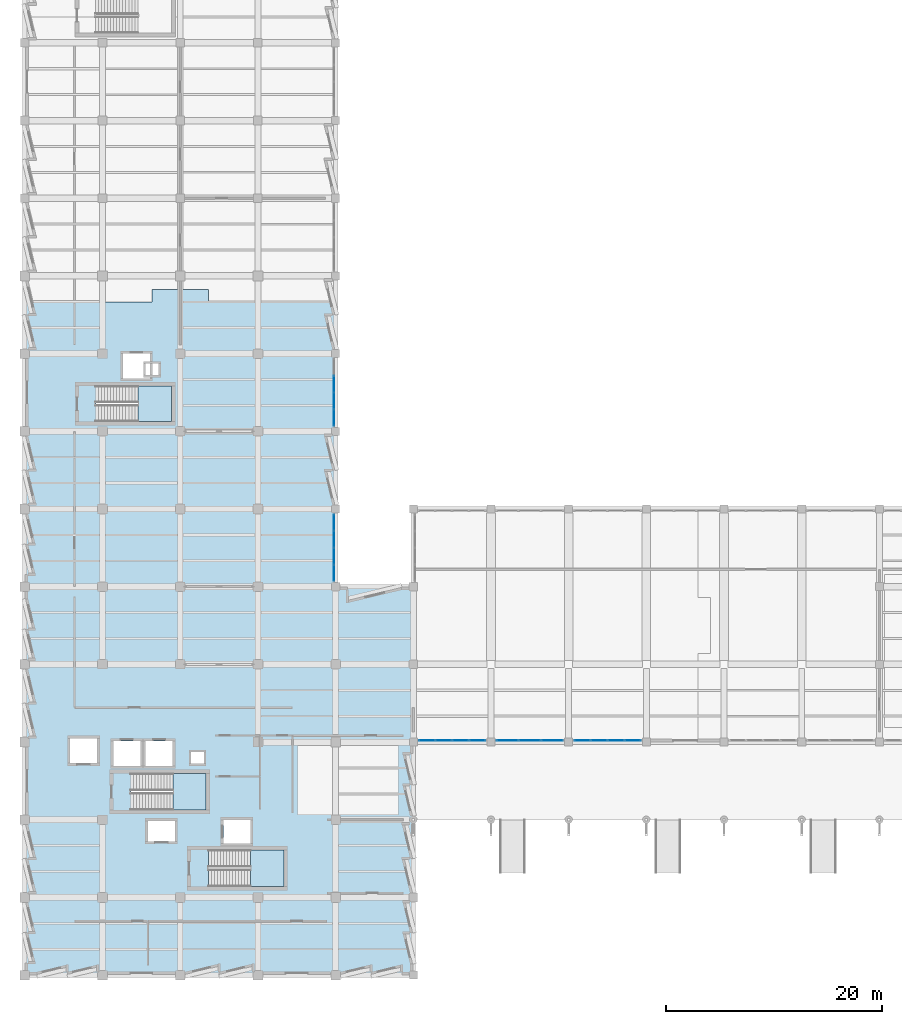
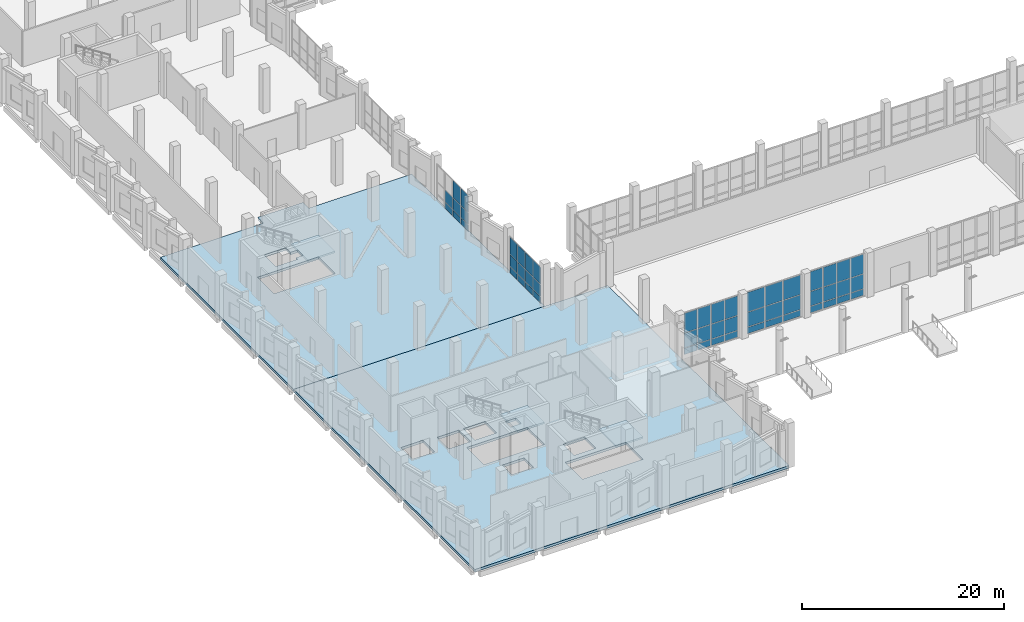
# One storey, part 85 of 137: 53 plates, 5 slabs, 8 elements without a shape of their own.
"""IFC4 building model written with IfcOpenShell, lengths in metres."""

from ifc_helpers import new_model, si_unit, direction, frame, origin, origin_2d, place, context, subcontext, project, spatial, polyline, rectangle, outline, extrude, material, layer, layer_set, type_object, element, aggregate, save


model = new_model("IFC4")

# Units and contexts
model_context = context("Model", 3, precision=1e-05, world=origin(), true_north=direction((0.0, 1.0)))
body_context = subcontext(model_context, "Body", "Model", "MODEL_VIEW")
ifc_project = project(units=[si_unit("LENGTHUNIT", "METRE"), si_unit("AREAUNIT", "SQUARE_METRE"), si_unit("VOLUMEUNIT", "CUBIC_METRE"), si_unit("PLANEANGLEUNIT", "RADIAN"), si_unit("MASSUNIT", "GRAM", prefix="KILO")], contexts=[model_context])

# Site, building, storey
site_placement = place(None, origin())
site = spatial("IfcSite", under=ifc_project, at=site_placement, CompositionType="ELEMENT")
building_placement = place(site_placement, origin())
building = spatial("IfcBuilding", under=site, at=building_placement, Name="Kalmorath City Hall", CompositionType="ELEMENT")
storey_placement = place(building_placement, origin())
storey = spatial("IfcBuildingStorey", under=building, at=storey_placement, Name="L00", CompositionType="ELEMENT", Elevation=0.0)

# Slabs
ifc_material_1 = material(Name="Concrete C40/50", Category="concrete")
ifc_layer_1 = layer(ifc_material_1, 0.300048828125)
ifc_layer_set_1 = layer_set([ifc_layer_1], Name="Concrete C40/50")
slab_type_1 = type_object("IfcSlabType", Name="Concrete ground floor slab 300", PredefinedType="FLOOR", material=ifc_layer_set_1)
slab_1_placement = place(storey_placement, frame((0.0, 0.0, -0.300048828125)))
element("IfcSlab", 1, at=slab_1_placement, inside=storey, type_object=slab_type_1, Name="L00 Corner Administration Block slab FS1-1", PredefinedType="FLOOR", context=body_context, shape_type="SweptSolid", body=[
    extrude(outline(polyline([(0.0, 36.0), (36.0, 36.0), (36.0, 0.0), (0.0, 0.0), (0.0, 36.0)]), holes=[polyline([(16.800048828125, 15.300048828125), (16.800048828125, 18.699951171875), (9.840087890625, 18.699951171875), (9.840087890625, 15.300048828125), (16.800048828125, 15.300048828125)]), polyline([(4.199951171875, 19.64990234375), (6.699951171875, 19.64990234375), (6.699951171875, 21.949951171875), (4.199951171875, 21.949951171875), (4.199951171875, 19.64990234375)]), polyline([(8.199951171875, 21.699951171875), (8.199951171875, 19.39990234375), (10.699951171875, 19.39990234375), (10.699951171875, 21.699951171875), (8.199951171875, 21.699951171875)]), polyline([(13.699951171875, 21.699951171875), (11.199951171875, 21.699951171875), (11.199951171875, 19.39990234375), (13.699951171875, 19.39990234375), (13.699951171875, 21.699951171875)]), polyline([(24.0, 8.199951171875), (24.0, 11.60009765625), (17.0400390625, 11.60009765625), (17.0400390625, 8.199951171875), (24.0, 8.199951171875)]), polyline([(11.39990234375, 12.39990234375), (13.89990234375, 12.39990234375), (13.89990234375, 14.300048828125), (11.39990234375, 14.300048828125), (11.39990234375, 12.39990234375)]), polyline([(18.39990234375, 14.39990234375), (18.39990234375, 12.199951171875), (20.89990234375, 12.199951171875), (20.89990234375, 14.39990234375), (18.39990234375, 14.39990234375)]), polyline([(16.60009765625, 20.679931640625), (15.39990234375, 20.679931640625), (15.39990234375, 19.60009765625), (16.60009765625, 19.60009765625), (16.60009765625, 20.679931640625)])]), origin(), (0.0, 0.0, 1.0), 0.300048828125),
])
slab_2_placement = place(storey_placement, frame((0.0, 0.0, -0.300048828125)))
element("IfcSlab", 2, at=slab_2_placement, inside=storey, type_object=slab_type_1, Name="L00 West Sawtooth Wing and Civic Storm Arcade slab FS1-1", PredefinedType="FLOOR", context=body_context, shape_type="SweptSolid", body=[
    extrude(outline(polyline([(0.0, 36.0), (0.0, 62.39990234375), (11.800048828125, 62.39990234375), (11.800048828125, 63.550048828125), (17.0, 63.550048828125), (17.0, 62.39990234375), (28.800048828125, 62.39990234375), (28.800048828125, 36.0), (0.0, 36.0)]), holes=[polyline([(6.590087890625, 54.60009765625), (6.590087890625, 51.300048828125), (13.60009765625, 51.300048828125), (13.60009765625, 54.60009765625), (6.590087890625, 54.60009765625)]), polyline([(11.60009765625, 55.60009765625), (12.39990234375, 55.60009765625), (12.39990234375, 56.679931640625), (11.60009765625, 56.679931640625), (11.60009765625, 57.60009765625), (9.10009765625, 57.60009765625), (9.10009765625, 55.300048828125), (11.60009765625, 55.300048828125), (11.60009765625, 55.60009765625)])]), origin(), (0.0, 0.0, 1.0), 0.300048828125),
])

# Stair, slab
ifc_material_2 = material(Name="Concrete C40/50", Category="concrete")
stair_type_1 = type_object("IfcStairType", Name="Dogleg concrete exit stair 30R x 180mm W1600", PredefinedType="HALF_TURN_STAIR", material=ifc_material_2)
stair_1_placement = place(storey_placement, origin())
stair_1 = element("IfcStair", 3, at=stair_1_placement, inside=storey, type_object=stair_type_1, Name="L00 Protected exit stair ST-1", PredefinedType="HALF_TURN_STAIR")
ifc_material_3 = material(Name="Concrete C40/50", Category="concrete")
ifc_layer_2 = layer(ifc_material_3, 0.199951171875)
ifc_layer_set_2 = layer_set([ifc_layer_2], Name="Concrete C40/50")
slab_type_2 = type_object("IfcSlabType", Name="Concrete stair half-landing slab 200", PredefinedType="LANDING", material=ifc_layer_set_2)
slab_3_placement = place(storey_placement, frame((0.0, 0.0, 2.5)))
slab_3 = element("IfcSlab", 4, at=slab_3_placement, type_object=slab_type_2, Name="ST-1 landing 1", PredefinedType="LANDING", context=body_context, shape_type="SweptSolid", body=[
    extrude(outline(polyline([(13.719970703125, 15.300048828125), (16.800048828125, 15.300048828125), (16.800048828125, 18.699951171875), (13.719970703125, 18.699951171875), (13.719970703125, 15.300048828125)])), origin(), (0.0, 0.0, 1.0), 0.199951171875),
])
aggregate(stair_1, [slab_3])

stair_2_placement = place(storey_placement, origin())
stair_2 = element("IfcStair", 5, at=stair_2_placement, inside=storey, type_object=stair_type_1, Name="L00 Protected exit stair ST-2", PredefinedType="HALF_TURN_STAIR")
slab_4_placement = place(storey_placement, frame((0.0, 0.0, 2.5)))
slab_4 = element("IfcSlab", 6, at=slab_4_placement, type_object=slab_type_2, Name="ST-2 landing 1", PredefinedType="LANDING", context=body_context, shape_type="SweptSolid", body=[
    extrude(outline(polyline([(20.919921875, 8.199951171875), (24.0, 8.199951171875), (24.0, 11.60009765625), (20.919921875, 11.60009765625), (20.919921875, 8.199951171875)])), origin(), (0.0, 0.0, 1.0), 0.199951171875),
])
aggregate(stair_2, [slab_4])

ifc_material_4 = material(Name="Concrete C40/50", Category="concrete")
stair_type_2 = type_object("IfcStairType", Name="Dogleg concrete exit stair 30R x 180mm W1550", PredefinedType="HALF_TURN_STAIR", material=ifc_material_4)
stair_3_placement = place(storey_placement, origin())
stair_3 = element("IfcStair", 7, at=stair_3_placement, inside=storey, type_object=stair_type_2, Name="L00 Protected exit stair ST-3", PredefinedType="HALF_TURN_STAIR")
slab_5_placement = place(storey_placement, frame((0.0, 0.0, 2.5)))
slab_5 = element("IfcSlab", 8, at=slab_5_placement, type_object=slab_type_2, Name="ST-3 landing 1", PredefinedType="LANDING", context=body_context, shape_type="SweptSolid", body=[
    extrude(outline(polyline([(10.469970703125, 51.300048828125), (13.60009765625, 51.300048828125), (13.60009765625, 54.60009765625), (10.469970703125, 54.60009765625), (10.469970703125, 51.300048828125)])), origin(), (0.0, 0.0, 1.0), 0.199951171875),
])
aggregate(stair_3, [slab_5])

# Curtain wall, plates
ifc_material_5 = material(Name="Anodised aluminium and laminated glass", Category="aluminium")
curtain_wall_type_1 = type_object("IfcCurtainWallType", Name="Unitised hurricane curtain wall 6270x4461 M1600", PredefinedType="NOTDEFINED", material=ifc_material_5)
curtain_wall_1_placement = place(storey_placement, origin())
curtain_wall_1 = element("IfcCurtainWall", 9, at=curtain_wall_1_placement, inside=storey, type_object=curtain_wall_type_1, Name="L00 curtain wall CW-63X45M16 #57", PredefinedType="NOTDEFINED")
ifc_material_6 = material(Name="Hurricane laminated low-E glass", Category="glass")
ifc_layer_3 = layer(ifc_material_6, 0.028076171875)
ifc_layer_set_3 = layer_set([ifc_layer_3], Name="Hurricane laminated low-E glass")
plate_type_1 = type_object("IfcPlateType", Name="Courtyard solar-control glazed panel 28", PredefinedType="CURTAIN_PANEL", material=ifc_layer_set_3)
plate_1_placement = place(storey_placement, frame((28.639892578125, 54.78369140625, 0.06005859375), z_axis=(0.0, 0.0, 1.0), x_axis=(0.0, -1.0, 0.0)))
plate_1 = element("IfcPlate", 10, at=plate_1_placement, type_object=plate_type_1, Name="CW-63X45M16 panel 2.1", PredefinedType="CURTAIN_PANEL", context=body_context, shape_type="SweptSolid", body=[
    extrude(rectangle(XDim=1.50244140625, YDim=0.028076171875, at=origin_2d()), origin(), (0.0, 0.0, 1.0), 0.760009765625),
])
plate_2_placement = place(storey_placement, frame((28.639892578125, 54.78369140625, 0.8798828125), z_axis=(0.0, 0.0, 1.0), x_axis=(0.0, -1.0, 0.0)))
plate_2 = element("IfcPlate", 11, at=plate_2_placement, type_object=plate_type_1, Name="CW-63X45M16 panel 2.2", PredefinedType="CURTAIN_PANEL", context=body_context, shape_type="SweptSolid", body=[
    extrude(rectangle(XDim=1.50244140625, YDim=0.028076171875, at=origin_2d()), origin(), (0.0, 0.0, 1.0), 1.409912109375),
])
plate_3_placement = place(storey_placement, frame((28.639892578125, 53.21630859375, 0.06005859375), z_axis=(0.0, 0.0, 1.0), x_axis=(0.0, -1.0, 0.0)))
plate_3 = element("IfcPlate", 12, at=plate_3_placement, type_object=plate_type_1, Name="CW-63X45M16 panel 3.1", PredefinedType="CURTAIN_PANEL", context=body_context, shape_type="SweptSolid", body=[
    extrude(rectangle(XDim=1.50244140625, YDim=0.028076171875, at=origin_2d()), origin(), (0.0, 0.0, 1.0), 0.760009765625),
])
plate_4_placement = place(storey_placement, frame((28.639892578125, 53.21630859375, 0.8798828125), z_axis=(0.0, 0.0, 1.0), x_axis=(0.0, -1.0, 0.0)))
plate_4 = element("IfcPlate", 13, at=plate_4_placement, type_object=plate_type_1, Name="CW-63X45M16 panel 3.2", PredefinedType="CURTAIN_PANEL", context=body_context, shape_type="SweptSolid", body=[
    extrude(rectangle(XDim=1.50244140625, YDim=0.028076171875, at=origin_2d()), origin(), (0.0, 0.0, 1.0), 1.409912109375),
])
plate_5_placement = place(storey_placement, frame((28.639892578125, 53.21630859375, 2.35009765625), z_axis=(0.0, 0.0, 1.0), x_axis=(0.0, -1.0, 0.0)))
plate_5 = element("IfcPlate", 14, at=plate_5_placement, type_object=plate_type_1, Name="CW-63X45M16 panel 3.3", PredefinedType="CURTAIN_PANEL", context=body_context, shape_type="SweptSolid", body=[
    extrude(rectangle(XDim=1.50244140625, YDim=0.028076171875, at=origin_2d()), origin(), (0.0, 0.0, 1.0), 2.051025390625),
])
plate_6_placement = place(storey_placement, frame((28.639892578125, 51.6650390625, 0.06005859375), z_axis=(0.0, 0.0, 1.0), x_axis=(0.0, -1.0, 0.0)))
plate_6 = element("IfcPlate", 15, at=plate_6_placement, type_object=plate_type_1, Name="CW-63X45M16 panel 4.1", PredefinedType="CURTAIN_PANEL", context=body_context, shape_type="SweptSolid", body=[
    extrude(rectangle(XDim=1.469970703125, YDim=0.028076171875, at=origin_2d()), origin(), (0.0, 0.0, 1.0), 0.760009765625),
])
plate_7_placement = place(storey_placement, frame((28.639892578125, 51.6650390625, 0.8798828125), z_axis=(0.0, 0.0, 1.0), x_axis=(0.0, -1.0, 0.0)))
plate_7 = element("IfcPlate", 16, at=plate_7_placement, type_object=plate_type_1, Name="CW-63X45M16 panel 4.2", PredefinedType="CURTAIN_PANEL", context=body_context, shape_type="SweptSolid", body=[
    extrude(rectangle(XDim=1.469970703125, YDim=0.028076171875, at=origin_2d()), origin(), (0.0, 0.0, 1.0), 1.409912109375),
])
plate_8_placement = place(storey_placement, frame((28.639892578125, 51.6650390625, 2.35009765625), z_axis=(0.0, 0.0, 1.0), x_axis=(0.0, -1.0, 0.0)))
plate_8 = element("IfcPlate", 17, at=plate_8_placement, type_object=plate_type_1, Name="CW-63X45M16 panel 4.3", PredefinedType="CURTAIN_PANEL", context=body_context, shape_type="SweptSolid", body=[
    extrude(rectangle(XDim=1.469970703125, YDim=0.028076171875, at=origin_2d()), origin(), (0.0, 0.0, 1.0), 2.051025390625),
])
aggregate(curtain_wall_1, [plate_1, plate_2, plate_3, plate_4, plate_5, plate_6, plate_7, plate_8])

ifc_material_7 = material(Name="Anodised aluminium and laminated glass", Category="aluminium")
curtain_wall_type_2 = type_object("IfcCurtainWallType", Name="Unitised hurricane curtain wall 6245x4461 M1600", PredefinedType="NOTDEFINED", material=ifc_material_7)
curtain_wall_2_placement = place(storey_placement, origin())
curtain_wall_2 = element("IfcCurtainWall", 18, at=curtain_wall_2_placement, inside=storey, type_object=curtain_wall_type_2, Name="L00 curtain wall CW-62X45M16 #58", PredefinedType="NOTDEFINED")
plate_9_placement = place(storey_placement, frame((28.639892578125, 41.938232421875, 0.06005859375), z_axis=(0.0, 0.0, 1.0), x_axis=(0.0, -1.0, 0.0)))
plate_9 = element("IfcPlate", 19, at=plate_9_placement, type_object=plate_type_1, Name="CW-62X45M16 panel 1.1", PredefinedType="CURTAIN_PANEL", context=body_context, shape_type="SweptSolid", body=[
    extrude(rectangle(XDim=1.4638671875, YDim=0.028076171875, at=origin_2d()), origin(), (0.0, 0.0, 1.0), 0.760009765625),
])
plate_10_placement = place(storey_placement, frame((28.639892578125, 41.938232421875, 0.8798828125), z_axis=(0.0, 0.0, 1.0), x_axis=(0.0, -1.0, 0.0)))
plate_10 = element("IfcPlate", 20, at=plate_10_placement, type_object=plate_type_1, Name="CW-62X45M16 panel 1.2", PredefinedType="CURTAIN_PANEL", context=body_context, shape_type="SweptSolid", body=[
    extrude(rectangle(XDim=1.4638671875, YDim=0.028076171875, at=origin_2d()), origin(), (0.0, 0.0, 1.0), 1.409912109375),
])
plate_11_placement = place(storey_placement, frame((28.639892578125, 41.938232421875, 2.35009765625), z_axis=(0.0, 0.0, 1.0), x_axis=(0.0, -1.0, 0.0)))
plate_11 = element("IfcPlate", 21, at=plate_11_placement, type_object=plate_type_1, Name="CW-62X45M16 panel 1.3", PredefinedType="CURTAIN_PANEL", context=body_context, shape_type="SweptSolid", body=[
    extrude(rectangle(XDim=1.4638671875, YDim=0.028076171875, at=origin_2d()), origin(), (0.0, 0.0, 1.0), 2.051025390625),
])
plate_12_placement = place(storey_placement, frame((28.639892578125, 40.39306640625, 0.06005859375), z_axis=(0.0, 0.0, 1.0), x_axis=(0.0, -1.0, 0.0)))
plate_12 = element("IfcPlate", 22, at=plate_12_placement, type_object=plate_type_1, Name="CW-62X45M16 panel 2.1", PredefinedType="CURTAIN_PANEL", context=body_context, shape_type="SweptSolid", body=[
    extrude(rectangle(XDim=1.496337890625, YDim=0.028076171875, at=origin_2d()), origin(), (0.0, 0.0, 1.0), 0.760009765625),
])
plate_13_placement = place(storey_placement, frame((28.639892578125, 40.39306640625, 0.8798828125), z_axis=(0.0, 0.0, 1.0), x_axis=(0.0, -1.0, 0.0)))
plate_13 = element("IfcPlate", 23, at=plate_13_placement, type_object=plate_type_1, Name="CW-62X45M16 panel 2.2", PredefinedType="CURTAIN_PANEL", context=body_context, shape_type="SweptSolid", body=[
    extrude(rectangle(XDim=1.496337890625, YDim=0.028076171875, at=origin_2d()), origin(), (0.0, 0.0, 1.0), 1.409912109375),
])
plate_14_placement = place(storey_placement, frame((28.639892578125, 40.39306640625, 2.35009765625), z_axis=(0.0, 0.0, 1.0), x_axis=(0.0, -1.0, 0.0)))
plate_14 = element("IfcPlate", 24, at=plate_14_placement, type_object=plate_type_1, Name="CW-62X45M16 panel 2.3", PredefinedType="CURTAIN_PANEL", context=body_context, shape_type="SweptSolid", body=[
    extrude(rectangle(XDim=1.496337890625, YDim=0.028076171875, at=origin_2d()), origin(), (0.0, 0.0, 1.0), 2.051025390625),
])
plate_15_placement = place(storey_placement, frame((28.639892578125, 38.831787109375, 0.06005859375), z_axis=(0.0, 0.0, 1.0), x_axis=(0.0, -1.0, 0.0)))
plate_15 = element("IfcPlate", 25, at=plate_15_placement, type_object=plate_type_1, Name="CW-62X45M16 panel 3.1", PredefinedType="CURTAIN_PANEL", context=body_context, shape_type="SweptSolid", body=[
    extrude(rectangle(XDim=1.496337890625, YDim=0.028076171875, at=origin_2d()), origin(), (0.0, 0.0, 1.0), 0.760009765625),
])
plate_16_placement = place(storey_placement, frame((28.639892578125, 38.831787109375, 0.8798828125), z_axis=(0.0, 0.0, 1.0), x_axis=(0.0, -1.0, 0.0)))
plate_16 = element("IfcPlate", 26, at=plate_16_placement, type_object=plate_type_1, Name="CW-62X45M16 panel 3.2", PredefinedType="CURTAIN_PANEL", context=body_context, shape_type="SweptSolid", body=[
    extrude(rectangle(XDim=1.496337890625, YDim=0.028076171875, at=origin_2d()), origin(), (0.0, 0.0, 1.0), 1.409912109375),
])
plate_17_placement = place(storey_placement, frame((28.639892578125, 38.831787109375, 2.35009765625), z_axis=(0.0, 0.0, 1.0), x_axis=(0.0, -1.0, 0.0)))
plate_17 = element("IfcPlate", 27, at=plate_17_placement, type_object=plate_type_1, Name="CW-62X45M16 panel 3.3", PredefinedType="CURTAIN_PANEL", context=body_context, shape_type="SweptSolid", body=[
    extrude(rectangle(XDim=1.496337890625, YDim=0.028076171875, at=origin_2d()), origin(), (0.0, 0.0, 1.0), 2.051025390625),
])
plate_18_placement = place(storey_placement, frame((28.639892578125, 37.286865234375, 0.06005859375), z_axis=(0.0, 0.0, 1.0), x_axis=(0.0, -1.0, 0.0)))
plate_18 = element("IfcPlate", 28, at=plate_18_placement, type_object=plate_type_1, Name="CW-62X45M16 panel 4.1", PredefinedType="CURTAIN_PANEL", context=body_context, shape_type="SweptSolid", body=[
    extrude(rectangle(XDim=1.4638671875, YDim=0.028076171875, at=origin_2d()), origin(), (0.0, 0.0, 1.0), 0.760009765625),
])
plate_19_placement = place(storey_placement, frame((28.639892578125, 37.286865234375, 0.8798828125), z_axis=(0.0, 0.0, 1.0), x_axis=(0.0, -1.0, 0.0)))
plate_19 = element("IfcPlate", 29, at=plate_19_placement, type_object=plate_type_1, Name="CW-62X45M16 panel 4.2", PredefinedType="CURTAIN_PANEL", context=body_context, shape_type="SweptSolid", body=[
    extrude(rectangle(XDim=1.4638671875, YDim=0.028076171875, at=origin_2d()), origin(), (0.0, 0.0, 1.0), 1.409912109375),
])
plate_20_placement = place(storey_placement, frame((28.639892578125, 37.286865234375, 2.35009765625), z_axis=(0.0, 0.0, 1.0), x_axis=(0.0, -1.0, 0.0)))
plate_20 = element("IfcPlate", 30, at=plate_20_placement, type_object=plate_type_1, Name="CW-62X45M16 panel 4.3", PredefinedType="CURTAIN_PANEL", context=body_context, shape_type="SweptSolid", body=[
    extrude(rectangle(XDim=1.4638671875, YDim=0.028076171875, at=origin_2d()), origin(), (0.0, 0.0, 1.0), 2.051025390625),
])
aggregate(curtain_wall_2, [plate_9, plate_10, plate_11, plate_12, plate_13, plate_14, plate_15, plate_16, plate_17, plate_18, plate_19, plate_20])

ifc_material_8 = material(Name="Anodised aluminium and laminated glass", Category="aluminium")
curtain_wall_type_3 = type_object("IfcCurtainWallType", Name="Unitised hurricane curtain wall 6270x5120 M1500", PredefinedType="NOTDEFINED", material=ifc_material_8)
curtain_wall_3_placement = place(storey_placement, origin())
curtain_wall_3 = element("IfcCurtainWall", 31, at=curtain_wall_3_placement, inside=storey, type_object=curtain_wall_type_3, Name="L00 curtain wall CW-63X51M15 #24", PredefinedType="NOTDEFINED")
ifc_material_9 = material(Name="Hurricane laminated low-E glass", Category="glass")
ifc_layer_4 = layer(ifc_material_9, 0.0400390625)
ifc_layer_set_4 = layer_set([ifc_layer_4], Name="Hurricane laminated low-E glass")
plate_type_2 = type_object("IfcPlateType", Name="Public hall laminated glass panel 40", PredefinedType="CURTAIN_PANEL", material=ifc_layer_set_4)
plate_21_placement = place(storey_placement, frame((56.33251953125, 21.760009765625, 0.06494140625), z_axis=(0.0, 0.0, 1.0), x_axis=(-1.0, 0.0, 0.0)))
plate_21 = element("IfcPlate", 32, at=plate_21_placement, type_object=plate_type_2, Name="CW-63X51M15 panel 1.1", PredefinedType="CURTAIN_PANEL", context=body_context, shape_type="SweptSolid", body=[
    extrude(rectangle(XDim=1.455078125, YDim=0.0400390625, at=origin_2d()), origin(), (0.0, 0.0, 1.0), 0.75244140625),
])
plate_22_placement = place(storey_placement, frame((56.33251953125, 21.760009765625, 0.882568359375), z_axis=(0.0, 0.0, 1.0), x_axis=(-1.0, 0.0, 0.0)))
plate_22 = element("IfcPlate", 33, at=plate_22_placement, type_object=plate_type_2, Name="CW-63X51M15 panel 1.2", PredefinedType="CURTAIN_PANEL", context=body_context, shape_type="SweptSolid", body=[
    extrude(rectangle(XDim=1.455078125, YDim=0.0400390625, at=origin_2d()), origin(), (0.0, 0.0, 1.0), 1.7470703125),
])
plate_23_placement = place(storey_placement, frame((56.33251953125, 21.760009765625, 2.6943359375), z_axis=(0.0, 0.0, 1.0), x_axis=(-1.0, 0.0, 0.0)))
plate_23 = element("IfcPlate", 34, at=plate_23_placement, type_object=plate_type_2, Name="CW-63X51M15 panel 1.3", PredefinedType="CURTAIN_PANEL", context=body_context, shape_type="SweptSolid", body=[
    extrude(rectangle(XDim=1.455078125, YDim=0.0400390625, at=origin_2d()), origin(), (0.0, 0.0, 1.0), 2.360595703125),
])
plate_24_placement = place(storey_placement, frame((54.78369140625, 21.760009765625, 0.06494140625), z_axis=(0.0, 0.0, 1.0), x_axis=(-1.0, 0.0, 0.0)))
plate_24 = element("IfcPlate", 35, at=plate_24_placement, type_object=plate_type_2, Name="CW-63X51M15 panel 2.1", PredefinedType="CURTAIN_PANEL", context=body_context, shape_type="SweptSolid", body=[
    extrude(rectangle(XDim=1.492431640625, YDim=0.0400390625, at=origin_2d()), origin(), (0.0, 0.0, 1.0), 0.75244140625),
])
plate_25_placement = place(storey_placement, frame((54.78369140625, 21.760009765625, 0.882568359375), z_axis=(0.0, 0.0, 1.0), x_axis=(-1.0, 0.0, 0.0)))
plate_25 = element("IfcPlate", 36, at=plate_25_placement, type_object=plate_type_2, Name="CW-63X51M15 panel 2.2", PredefinedType="CURTAIN_PANEL", context=body_context, shape_type="SweptSolid", body=[
    extrude(rectangle(XDim=1.492431640625, YDim=0.0400390625, at=origin_2d()), origin(), (0.0, 0.0, 1.0), 1.7470703125),
])
plate_26_placement = place(storey_placement, frame((54.78369140625, 21.760009765625, 2.6943359375), z_axis=(0.0, 0.0, 1.0), x_axis=(-1.0, 0.0, 0.0)))
plate_26 = element("IfcPlate", 37, at=plate_26_placement, type_object=plate_type_2, Name="CW-63X51M15 panel 2.3", PredefinedType="CURTAIN_PANEL", context=body_context, shape_type="SweptSolid", body=[
    extrude(rectangle(XDim=1.492431640625, YDim=0.0400390625, at=origin_2d()), origin(), (0.0, 0.0, 1.0), 2.360595703125),
])
plate_27_placement = place(storey_placement, frame((53.21630859375, 21.760009765625, 0.06494140625), z_axis=(0.0, 0.0, 1.0), x_axis=(-1.0, 0.0, 0.0)))
plate_27 = element("IfcPlate", 38, at=plate_27_placement, type_object=plate_type_2, Name="CW-63X51M15 panel 3.1", PredefinedType="CURTAIN_PANEL", context=body_context, shape_type="SweptSolid", body=[
    extrude(rectangle(XDim=1.492431640625, YDim=0.0400390625, at=origin_2d()), origin(), (0.0, 0.0, 1.0), 0.75244140625),
])
plate_28_placement = place(storey_placement, frame((53.21630859375, 21.760009765625, 0.882568359375), z_axis=(0.0, 0.0, 1.0), x_axis=(-1.0, 0.0, 0.0)))
plate_28 = element("IfcPlate", 39, at=plate_28_placement, type_object=plate_type_2, Name="CW-63X51M15 panel 3.2", PredefinedType="CURTAIN_PANEL", context=body_context, shape_type="SweptSolid", body=[
    extrude(rectangle(XDim=1.492431640625, YDim=0.0400390625, at=origin_2d()), origin(), (0.0, 0.0, 1.0), 1.7470703125),
])
plate_29_placement = place(storey_placement, frame((53.21630859375, 21.760009765625, 2.6943359375), z_axis=(0.0, 0.0, 1.0), x_axis=(-1.0, 0.0, 0.0)))
plate_29 = element("IfcPlate", 40, at=plate_29_placement, type_object=plate_type_2, Name="CW-63X51M15 panel 3.3", PredefinedType="CURTAIN_PANEL", context=body_context, shape_type="SweptSolid", body=[
    extrude(rectangle(XDim=1.492431640625, YDim=0.0400390625, at=origin_2d()), origin(), (0.0, 0.0, 1.0), 2.360595703125),
])
plate_30_placement = place(storey_placement, frame((51.66748046875, 21.760009765625, 0.06494140625), z_axis=(0.0, 0.0, 1.0), x_axis=(-1.0, 0.0, 0.0)))
plate_30 = element("IfcPlate", 41, at=plate_30_placement, type_object=plate_type_2, Name="CW-63X51M15 panel 4.1", PredefinedType="CURTAIN_PANEL", context=body_context, shape_type="SweptSolid", body=[
    extrude(rectangle(XDim=1.455078125, YDim=0.0400390625, at=origin_2d()), origin(), (0.0, 0.0, 1.0), 0.75244140625),
])
plate_31_placement = place(storey_placement, frame((51.66748046875, 21.760009765625, 0.882568359375), z_axis=(0.0, 0.0, 1.0), x_axis=(-1.0, 0.0, 0.0)))
plate_31 = element("IfcPlate", 42, at=plate_31_placement, type_object=plate_type_2, Name="CW-63X51M15 panel 4.2", PredefinedType="CURTAIN_PANEL", context=body_context, shape_type="SweptSolid", body=[
    extrude(rectangle(XDim=1.455078125, YDim=0.0400390625, at=origin_2d()), origin(), (0.0, 0.0, 1.0), 1.7470703125),
])
plate_32_placement = place(storey_placement, frame((51.66748046875, 21.760009765625, 2.6943359375), z_axis=(0.0, 0.0, 1.0), x_axis=(-1.0, 0.0, 0.0)))
plate_32 = element("IfcPlate", 43, at=plate_32_placement, type_object=plate_type_2, Name="CW-63X51M15 panel 4.3", PredefinedType="CURTAIN_PANEL", context=body_context, shape_type="SweptSolid", body=[
    extrude(rectangle(XDim=1.455078125, YDim=0.0400390625, at=origin_2d()), origin(), (0.0, 0.0, 1.0), 2.360595703125),
])
aggregate(curtain_wall_3, [plate_21, plate_22, plate_23, plate_24, plate_25, plate_26, plate_27, plate_28, plate_29, plate_30, plate_31, plate_32])

ifc_material_10 = material(Name="Anodised aluminium and laminated glass", Category="aluminium")
curtain_wall_type_4 = type_object("IfcCurtainWallType", Name="Unitised hurricane curtain wall 6270x5120 M1800", PredefinedType="NOTDEFINED", material=ifc_material_10)
curtain_wall_4_placement = place(storey_placement, origin())
curtain_wall_4 = element("IfcCurtainWall", 44, at=curtain_wall_4_placement, inside=storey, type_object=curtain_wall_type_4, Name="L00 curtain wall CW-63X51M18 #25", PredefinedType="NOTDEFINED")
plate_33_placement = place(storey_placement, frame((48.871337890625, 21.760009765625, 0.06494140625), z_axis=(0.0, 0.0, 1.0), x_axis=(-1.0, 0.0, 0.0)))
plate_33 = element("IfcPlate", 45, at=plate_33_placement, type_object=plate_type_2, Name="CW-63X51M18 panel 1.1", PredefinedType="CURTAIN_PANEL", context=body_context, shape_type="SweptSolid", body=[
    extrude(rectangle(XDim=1.9775390625, YDim=0.0400390625, at=origin_2d()), origin(), (0.0, 0.0, 1.0), 0.75244140625),
])
plate_34_placement = place(storey_placement, frame((48.871337890625, 21.760009765625, 0.882568359375), z_axis=(0.0, 0.0, 1.0), x_axis=(-1.0, 0.0, 0.0)))
plate_34 = element("IfcPlate", 46, at=plate_34_placement, type_object=plate_type_2, Name="CW-63X51M18 panel 1.2", PredefinedType="CURTAIN_PANEL", context=body_context, shape_type="SweptSolid", body=[
    extrude(rectangle(XDim=1.9775390625, YDim=0.0400390625, at=origin_2d()), origin(), (0.0, 0.0, 1.0), 1.7470703125),
])
plate_35_placement = place(storey_placement, frame((48.871337890625, 21.760009765625, 2.6943359375), z_axis=(0.0, 0.0, 1.0), x_axis=(-1.0, 0.0, 0.0)))
plate_35 = element("IfcPlate", 47, at=plate_35_placement, type_object=plate_type_2, Name="CW-63X51M18 panel 1.3", PredefinedType="CURTAIN_PANEL", context=body_context, shape_type="SweptSolid", body=[
    extrude(rectangle(XDim=1.9775390625, YDim=0.0400390625, at=origin_2d()), origin(), (0.0, 0.0, 1.0), 2.360595703125),
])
plate_36_placement = place(storey_placement, frame((46.800048828125, 21.760009765625, 0.06494140625), z_axis=(0.0, 0.0, 1.0), x_axis=(-1.0, 0.0, 0.0)))
plate_36 = element("IfcPlate", 48, at=plate_36_placement, type_object=plate_type_2, Name="CW-63X51M18 panel 2.1", PredefinedType="CURTAIN_PANEL", context=body_context, shape_type="SweptSolid", body=[
    extrude(rectangle(XDim=2.014892578125, YDim=0.0400390625, at=origin_2d()), origin(), (0.0, 0.0, 1.0), 0.75244140625),
])
plate_37_placement = place(storey_placement, frame((46.800048828125, 21.760009765625, 0.882568359375), z_axis=(0.0, 0.0, 1.0), x_axis=(-1.0, 0.0, 0.0)))
plate_37 = element("IfcPlate", 49, at=plate_37_placement, type_object=plate_type_2, Name="CW-63X51M18 panel 2.2", PredefinedType="CURTAIN_PANEL", context=body_context, shape_type="SweptSolid", body=[
    extrude(rectangle(XDim=2.014892578125, YDim=0.0400390625, at=origin_2d()), origin(), (0.0, 0.0, 1.0), 1.7470703125),
])
plate_38_placement = place(storey_placement, frame((46.800048828125, 21.760009765625, 2.6943359375), z_axis=(0.0, 0.0, 1.0), x_axis=(-1.0, 0.0, 0.0)))
plate_38 = element("IfcPlate", 50, at=plate_38_placement, type_object=plate_type_2, Name="CW-63X51M18 panel 2.3", PredefinedType="CURTAIN_PANEL", context=body_context, shape_type="SweptSolid", body=[
    extrude(rectangle(XDim=2.014892578125, YDim=0.0400390625, at=origin_2d()), origin(), (0.0, 0.0, 1.0), 2.360595703125),
])
plate_39_placement = place(storey_placement, frame((44.728759765625, 21.760009765625, 0.06494140625), z_axis=(0.0, 0.0, 1.0), x_axis=(-1.0, 0.0, 0.0)))
plate_39 = element("IfcPlate", 51, at=plate_39_placement, type_object=plate_type_2, Name="CW-63X51M18 panel 3.1", PredefinedType="CURTAIN_PANEL", context=body_context, shape_type="SweptSolid", body=[
    extrude(rectangle(XDim=1.9775390625, YDim=0.0400390625, at=origin_2d()), origin(), (0.0, 0.0, 1.0), 0.75244140625),
])
plate_40_placement = place(storey_placement, frame((44.728759765625, 21.760009765625, 0.882568359375), z_axis=(0.0, 0.0, 1.0), x_axis=(-1.0, 0.0, 0.0)))
plate_40 = element("IfcPlate", 52, at=plate_40_placement, type_object=plate_type_2, Name="CW-63X51M18 panel 3.2", PredefinedType="CURTAIN_PANEL", context=body_context, shape_type="SweptSolid", body=[
    extrude(rectangle(XDim=1.9775390625, YDim=0.0400390625, at=origin_2d()), origin(), (0.0, 0.0, 1.0), 1.7470703125),
])
plate_41_placement = place(storey_placement, frame((44.728759765625, 21.760009765625, 2.6943359375), z_axis=(0.0, 0.0, 1.0), x_axis=(-1.0, 0.0, 0.0)))
plate_41 = element("IfcPlate", 53, at=plate_41_placement, type_object=plate_type_2, Name="CW-63X51M18 panel 3.3", PredefinedType="CURTAIN_PANEL", context=body_context, shape_type="SweptSolid", body=[
    extrude(rectangle(XDim=1.9775390625, YDim=0.0400390625, at=origin_2d()), origin(), (0.0, 0.0, 1.0), 2.360595703125),
])
aggregate(curtain_wall_4, [plate_33, plate_34, plate_35, plate_36, plate_37, plate_38, plate_39, plate_40, plate_41])

curtain_wall_5_placement = place(storey_placement, origin())
curtain_wall_5 = element("IfcCurtainWall", 54, at=curtain_wall_5_placement, inside=storey, type_object=curtain_wall_type_3, Name="L00 curtain wall CW-63X51M15 #26", PredefinedType="NOTDEFINED")
plate_42_placement = place(storey_placement, frame((41.9326171875, 21.760009765625, 0.06494140625), z_axis=(0.0, 0.0, 1.0), x_axis=(-1.0, 0.0, 0.0)))
plate_42 = element("IfcPlate", 55, at=plate_42_placement, type_object=plate_type_2, Name="CW-63X51M15 panel 1.1", PredefinedType="CURTAIN_PANEL", context=body_context, shape_type="SweptSolid", body=[
    extrude(rectangle(XDim=1.455078125, YDim=0.0400390625, at=origin_2d()), origin(), (0.0, 0.0, 1.0), 0.75244140625),
])
plate_43_placement = place(storey_placement, frame((41.9326171875, 21.760009765625, 0.882568359375), z_axis=(0.0, 0.0, 1.0), x_axis=(-1.0, 0.0, 0.0)))
plate_43 = element("IfcPlate", 56, at=plate_43_placement, type_object=plate_type_2, Name="CW-63X51M15 panel 1.2", PredefinedType="CURTAIN_PANEL", context=body_context, shape_type="SweptSolid", body=[
    extrude(rectangle(XDim=1.455078125, YDim=0.0400390625, at=origin_2d()), origin(), (0.0, 0.0, 1.0), 1.7470703125),
])
plate_44_placement = place(storey_placement, frame((41.9326171875, 21.760009765625, 2.6943359375), z_axis=(0.0, 0.0, 1.0), x_axis=(-1.0, 0.0, 0.0)))
plate_44 = element("IfcPlate", 57, at=plate_44_placement, type_object=plate_type_2, Name="CW-63X51M15 panel 1.3", PredefinedType="CURTAIN_PANEL", context=body_context, shape_type="SweptSolid", body=[
    extrude(rectangle(XDim=1.455078125, YDim=0.0400390625, at=origin_2d()), origin(), (0.0, 0.0, 1.0), 2.360595703125),
])
plate_45_placement = place(storey_placement, frame((40.3837890625, 21.760009765625, 0.06494140625), z_axis=(0.0, 0.0, 1.0), x_axis=(-1.0, 0.0, 0.0)))
plate_45 = element("IfcPlate", 58, at=plate_45_placement, type_object=plate_type_2, Name="CW-63X51M15 panel 2.1", PredefinedType="CURTAIN_PANEL", context=body_context, shape_type="SweptSolid", body=[
    extrude(rectangle(XDim=1.492431640625, YDim=0.0400390625, at=origin_2d()), origin(), (0.0, 0.0, 1.0), 0.75244140625),
])
plate_46_placement = place(storey_placement, frame((40.3837890625, 21.760009765625, 0.882568359375), z_axis=(0.0, 0.0, 1.0), x_axis=(-1.0, 0.0, 0.0)))
plate_46 = element("IfcPlate", 59, at=plate_46_placement, type_object=plate_type_2, Name="CW-63X51M15 panel 2.2", PredefinedType="CURTAIN_PANEL", context=body_context, shape_type="SweptSolid", body=[
    extrude(rectangle(XDim=1.492431640625, YDim=0.0400390625, at=origin_2d()), origin(), (0.0, 0.0, 1.0), 1.7470703125),
])
plate_47_placement = place(storey_placement, frame((40.3837890625, 21.760009765625, 2.6943359375), z_axis=(0.0, 0.0, 1.0), x_axis=(-1.0, 0.0, 0.0)))
plate_47 = element("IfcPlate", 60, at=plate_47_placement, type_object=plate_type_2, Name="CW-63X51M15 panel 2.3", PredefinedType="CURTAIN_PANEL", context=body_context, shape_type="SweptSolid", body=[
    extrude(rectangle(XDim=1.492431640625, YDim=0.0400390625, at=origin_2d()), origin(), (0.0, 0.0, 1.0), 2.360595703125),
])
plate_48_placement = place(storey_placement, frame((38.816162109375, 21.760009765625, 0.06494140625), z_axis=(0.0, 0.0, 1.0), x_axis=(-1.0, 0.0, 0.0)))
plate_48 = element("IfcPlate", 61, at=plate_48_placement, type_object=plate_type_2, Name="CW-63X51M15 panel 3.1", PredefinedType="CURTAIN_PANEL", context=body_context, shape_type="SweptSolid", body=[
    extrude(rectangle(XDim=1.492431640625, YDim=0.0400390625, at=origin_2d()), origin(), (0.0, 0.0, 1.0), 0.75244140625),
])
plate_49_placement = place(storey_placement, frame((38.816162109375, 21.760009765625, 0.882568359375), z_axis=(0.0, 0.0, 1.0), x_axis=(-1.0, 0.0, 0.0)))
plate_49 = element("IfcPlate", 62, at=plate_49_placement, type_object=plate_type_2, Name="CW-63X51M15 panel 3.2", PredefinedType="CURTAIN_PANEL", context=body_context, shape_type="SweptSolid", body=[
    extrude(rectangle(XDim=1.492431640625, YDim=0.0400390625, at=origin_2d()), origin(), (0.0, 0.0, 1.0), 1.7470703125),
])
plate_50_placement = place(storey_placement, frame((38.816162109375, 21.760009765625, 2.6943359375), z_axis=(0.0, 0.0, 1.0), x_axis=(-1.0, 0.0, 0.0)))
plate_50 = element("IfcPlate", 63, at=plate_50_placement, type_object=plate_type_2, Name="CW-63X51M15 panel 3.3", PredefinedType="CURTAIN_PANEL", context=body_context, shape_type="SweptSolid", body=[
    extrude(rectangle(XDim=1.492431640625, YDim=0.0400390625, at=origin_2d()), origin(), (0.0, 0.0, 1.0), 2.360595703125),
])
plate_51_placement = place(storey_placement, frame((37.267578125, 21.760009765625, 0.06494140625), z_axis=(0.0, 0.0, 1.0), x_axis=(-1.0, 0.0, 0.0)))
plate_51 = element("IfcPlate", 64, at=plate_51_placement, type_object=plate_type_2, Name="CW-63X51M15 panel 4.1", PredefinedType="CURTAIN_PANEL", context=body_context, shape_type="SweptSolid", body=[
    extrude(rectangle(XDim=1.455078125, YDim=0.0400390625, at=origin_2d()), origin(), (0.0, 0.0, 1.0), 0.75244140625),
])
plate_52_placement = place(storey_placement, frame((37.267578125, 21.760009765625, 0.882568359375), z_axis=(0.0, 0.0, 1.0), x_axis=(-1.0, 0.0, 0.0)))
plate_52 = element("IfcPlate", 65, at=plate_52_placement, type_object=plate_type_2, Name="CW-63X51M15 panel 4.2", PredefinedType="CURTAIN_PANEL", context=body_context, shape_type="SweptSolid", body=[
    extrude(rectangle(XDim=1.455078125, YDim=0.0400390625, at=origin_2d()), origin(), (0.0, 0.0, 1.0), 1.7470703125),
])
plate_53_placement = place(storey_placement, frame((37.267578125, 21.760009765625, 2.6943359375), z_axis=(0.0, 0.0, 1.0), x_axis=(-1.0, 0.0, 0.0)))
plate_53 = element("IfcPlate", 66, at=plate_53_placement, type_object=plate_type_2, Name="CW-63X51M15 panel 4.3", PredefinedType="CURTAIN_PANEL", context=body_context, shape_type="SweptSolid", body=[
    extrude(rectangle(XDim=1.455078125, YDim=0.0400390625, at=origin_2d()), origin(), (0.0, 0.0, 1.0), 2.360595703125),
])
aggregate(curtain_wall_5, [plate_42, plate_43, plate_44, plate_45, plate_46, plate_47, plate_48, plate_49, plate_50, plate_51, plate_52, plate_53])

save(model, "model.ifc")
